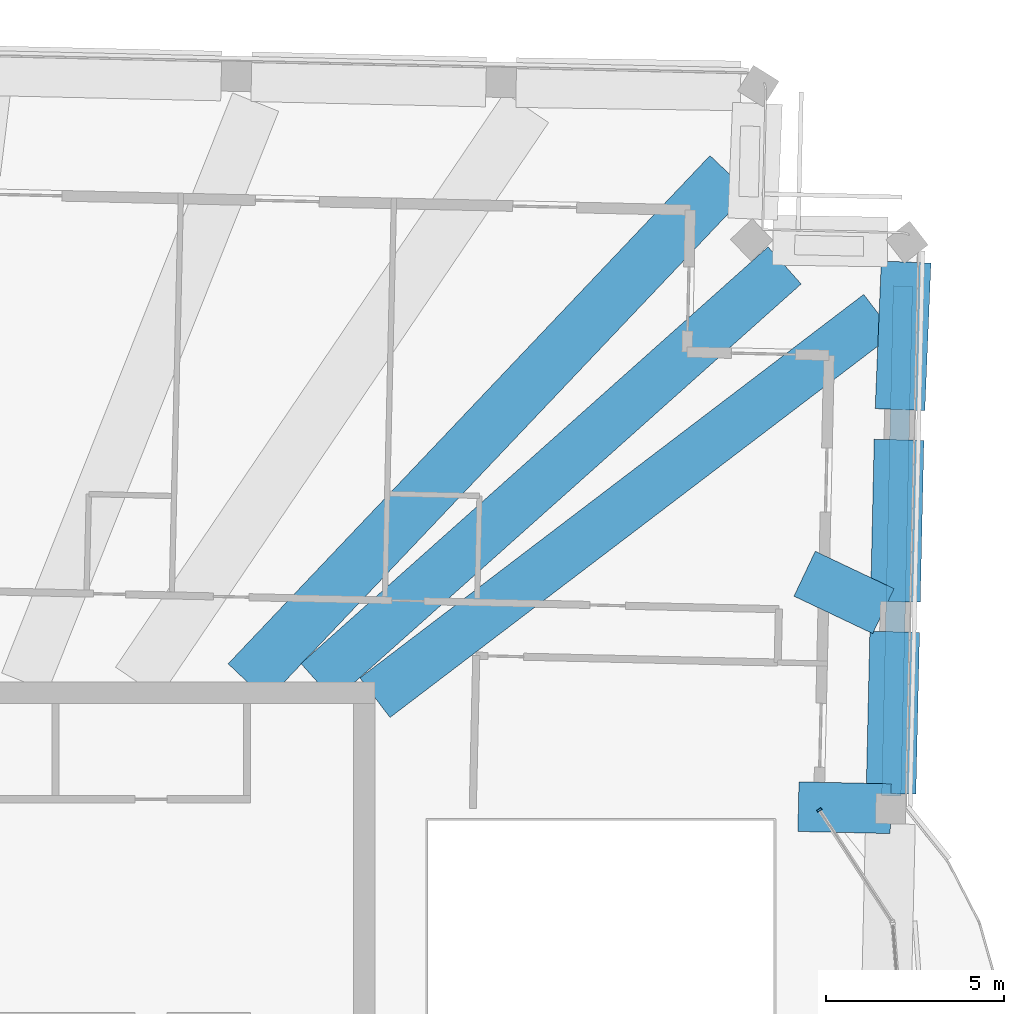
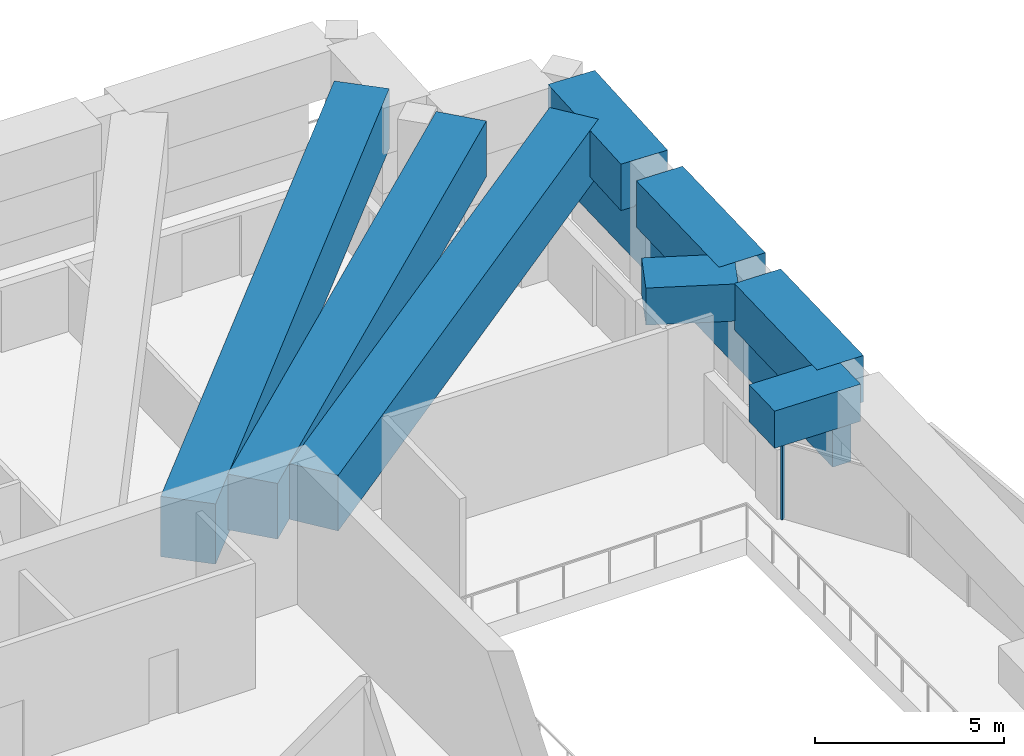
# One storey, part 7 of 21: 8 beams, 2 members, 1 element without a shape of its own.
"""IFC4 building model written with IfcOpenShell, lengths in metres."""

from ifc_helpers import new_model, si_unit, direction, frame, origin, origin_2d, place, context, subcontext, project, spatial, rectangle, extrude, material, material_profile, profile_set, type_object, element, aggregate, save


model = new_model("IFC4")

# Units and contexts
model_context = context("Model", 3, precision=1e-05, world=origin(), true_north=direction((0.0, 1.0)))
body_context = subcontext(model_context, "Body", "Model", "MODEL_VIEW")
ifc_project = project(units=[si_unit("LENGTHUNIT", "METRE"), si_unit("AREAUNIT", "SQUARE_METRE"), si_unit("VOLUMEUNIT", "CUBIC_METRE"), si_unit("PLANEANGLEUNIT", "RADIAN"), si_unit("MASSUNIT", "GRAM", prefix="KILO")], contexts=[model_context])

# Site, building, storey
site_placement = place(None, origin())
site = spatial("IfcSite", under=ifc_project, at=site_placement, CompositionType="ELEMENT")
building_placement = place(site_placement, origin())
building = spatial("IfcBuilding", under=site, at=building_placement, Name="Mangrove Gate Tower", CompositionType="ELEMENT")
storey_placement = place(building_placement, frame((0.0, 0.0, 329.699951171875)))
storey = spatial("IfcBuildingStorey", under=building, at=storey_placement, Name="L84", CompositionType="ELEMENT", Elevation=329.699951171875)

# Curtain wall, member
ifc_material_1 = material(Name="Aluminium and glass curtain wall", Category="aluminium")
curtain_wall_type = type_object("IfcCurtainWallType", Name="Crown garden glazing wall", PredefinedType="NOTDEFINED", material=ifc_material_1)
curtain_wall_placement = place(storey_placement, origin())
curtain_wall = element("IfcCurtainWall", 1, at=curtain_wall_placement, inside=storey, type_object=curtain_wall_type, Name="Crown garden glazing E1f3", PredefinedType="NOTDEFINED")
ifc_material_2 = material(Name="Aluminium alloy 6063-T6", Category="aluminium")
ifc_material_profile_1 = material_profile(ifc_material_2, rectangle(XDim=0.06005859375, YDim=0.139892578125, at=origin_2d()))
ifc_profile_set_1 = profile_set([ifc_material_profile_1], Name="Aluminium alloy 6063-T6")
member_type_1 = type_object("IfcMemberType", Name="Crown garden glazing mullion 60x140", PredefinedType="MULLION", material=ifc_profile_set_1)
member_1_placement = place(storey_placement, frame((26.913818359375, 7.800537109375, 0.0), z_axis=(0.0, 0.0, 1.0), x_axis=(-0.546235085045, 0.837631919083, 0.0)))
member_1 = element("IfcMember", 2, at=member_1_placement, type_object=member_type_1, Name="CWC mullion 2", PredefinedType="MULLION", context=body_context, shape_type="SweptSolid", body=[
    extrude(rectangle(XDim=0.06005859375, YDim=0.139892578125, at=origin_2d()), origin(), (0.0, 0.0, 1.0), 2.550048828125),
])
aggregate(curtain_wall, [member_1])

# Member
ifc_material_3 = material(Name="Planting on aluminium trellis", Category="aluminium")
ifc_material_profile_2 = material_profile(ifc_material_3, rectangle(XDim=0.550048828125, YDim=1.800048828125, at=origin_2d()))
ifc_profile_set_2 = profile_set([ifc_material_profile_2], Name="Planting on aluminium trellis")
member_type_2 = type_object("IfcMemberType", Name="Roof greenery screen 550x1800", PredefinedType="USERDEFINED", material=ifc_profile_set_2)
member_2_placement = place(storey_placement, frame((29.26708984375, 22.554931640625, 1.699951171875), z_axis=(-0.022711365364, -0.999742063676, 0.0), x_axis=(0.999742063676, -0.022711365364, 0.0)))
element("IfcMember", 3, at=member_2_placement, inside=storey, type_object=member_type_2, Name="GREEN SCREEN L84 T1.5.6", ObjectType="PLANTING", PredefinedType="USERDEFINED", context=body_context, shape_type="SweptSolid", body=[
    extrude(rectangle(XDim=0.550048828125, YDim=1.800048828125, at=origin_2d()), origin(), (0.0, 0.0, 1.0), 14.361572265625),
])

# Beams
ifc_material_4 = material(Name="Concrete C50/60", Category="concrete")
ifc_material_profile_3 = material_profile(ifc_material_4, rectangle(XDim=1.39990234375, YDim=1.199951171875, at=origin_2d()))
ifc_profile_set_3 = profile_set([ifc_material_profile_3], Name="Concrete C50/60")
beam_type_1 = type_object("IfcBeamType", Name="Transfer girder RC 1400x1200 C50/60", PredefinedType="BEAM", material=ifc_profile_set_3)
beam_1_placement = place(storey_placement, frame((28.923095703125, 7.834716796875, 3.449951171875), z_axis=(-0.99974594039, 0.022540068172, 0.0), x_axis=(-0.022540068172, -0.99974594039, 0.0)))
element("IfcBeam", 4, at=beam_1_placement, inside=storey, type_object=beam_type_1, Name="Transfer edge girder L84 16", PredefinedType="BEAM", context=body_context, shape_type="SweptSolid", body=[
    extrude(rectangle(XDim=1.39990234375, YDim=1.199951171875, at=origin_2d()), origin(), (0.0, 0.0, 1.0), 2.599609375),
])
beam_2_placement = place(storey_placement, frame((28.7158203125, 13.3984375, 3.449951171875), z_axis=(-0.903277504354, 0.429056814568, 0.0), x_axis=(-0.429056814568, -0.903277504354, 0.0)))
element("IfcBeam", 5, at=beam_2_placement, inside=storey, type_object=beam_type_1, Name="Transfer edge girder L84 17", PredefinedType="BEAM", context=body_context, shape_type="SweptSolid", body=[
    extrude(rectangle(XDim=1.39990234375, YDim=1.199951171875, at=origin_2d()), origin(), (0.0, 0.0, 1.0), 2.4541015625),
])
ifc_material_5 = material(Name="Concrete C50/60", Category="concrete")
ifc_material_profile_4 = material_profile(ifc_material_5, rectangle(XDim=1.39990234375, YDim=1.5, at=origin_2d()))
ifc_profile_set_4 = profile_set([ifc_material_profile_4], Name="Concrete C50/60")
beam_type_2 = type_object("IfcBeamType", Name="Transfer girder RC 1400x1500 C50/60", PredefinedType="BEAM", material=ifc_profile_set_4)
beam_3_placement = place(storey_placement, frame((28.932861328125, 8.259521484375, 3.300048828125), z_axis=(0.022709239016, 0.999742111979, 0.0), x_axis=(-0.999742111979, 0.022709239016, 0.0)))
element("IfcBeam", 6, at=beam_3_placement, inside=storey, type_object=beam_type_2, Name="Transfer ring girder L84 18", PredefinedType="BEAM", context=body_context, shape_type="SweptSolid", body=[
    extrude(rectangle(XDim=1.39990234375, YDim=1.5, at=origin_2d()), origin(), (0.0, 0.0, 1.0), 4.558349609375),
])
beam_4_placement = place(storey_placement, frame((29.0556640625, 13.66650390625, 3.300048828125), z_axis=(0.022553473027, 0.999745638077, 0.0), x_axis=(-0.999745638077, 0.022553473027, 0.0)))
element("IfcBeam", 7, at=beam_4_placement, inside=storey, type_object=beam_type_2, Name="Transfer ring girder L84 19", PredefinedType="BEAM", context=body_context, shape_type="SweptSolid", body=[
    extrude(rectangle(XDim=1.39990234375, YDim=1.5, at=origin_2d()), origin(), (0.0, 0.0, 1.0), 4.557373046875),
])
beam_5_placement = place(storey_placement, frame((29.185546875, 19.072265625, 3.300048828125), z_axis=(0.041318069487, 0.999146043946, 0.0), x_axis=(-0.999146043946, 0.041318069487, 0.0)))
element("IfcBeam", 8, at=beam_5_placement, inside=storey, type_object=beam_type_2, Name="Transfer ring girder L84 20", PredefinedType="BEAM", context=body_context, shape_type="SweptSolid", body=[
    extrude(rectangle(XDim=1.39990234375, YDim=1.5, at=origin_2d()), origin(), (0.0, 0.0, 1.0), 4.159912109375),
])
ifc_material_6 = material(Name="Concrete C50/60", Category="concrete")
ifc_material_profile_5 = material_profile(ifc_material_6, rectangle(XDim=1.39990234375, YDim=1.800048828125, at=origin_2d()))
ifc_profile_set_5 = profile_set([ifc_material_profile_5], Name="Concrete C50/60")
beam_type_3 = type_object("IfcBeamType", Name="Transfer girder RC 1400x1800 C50/60", PredefinedType="BEAM", material=ifc_profile_set_5)
beam_6_placement = place(storey_placement, frame((14.39990234375, 10.96044921875, 3.150146484375), z_axis=(0.795725833449, 0.605656996973, 0.0), x_axis=(-0.605656996973, 0.795725833449, 0.0)))
element("IfcBeam", 9, at=beam_6_placement, inside=storey, type_object=beam_type_3, Name="Transfer girder L84 18", PredefinedType="BEAM", context=body_context, shape_type="SweptSolid", body=[
    extrude(rectangle(XDim=1.39990234375, YDim=1.800048828125, at=origin_2d()), origin(), (0.0, 0.0, 1.0), 17.829833984375),
])
beam_7_placement = place(storey_placement, frame((12.78125, 11.39990234375, 3.150146484375), z_axis=(0.746274979658, 0.665637780431, 0.0), x_axis=(-0.665637780431, 0.746274979658, 0.0)))
element("IfcBeam", 10, at=beam_7_placement, inside=storey, type_object=beam_type_3, Name="Transfer girder L84 19", PredefinedType="BEAM", context=body_context, shape_type="SweptSolid", body=[
    extrude(rectangle(XDim=1.39990234375, YDim=1.800048828125, at=origin_2d()), origin(), (0.0, 0.0, 1.0), 17.626953125),
])
ifc_material_7 = material(Name="Concrete C50/60", Category="concrete")
ifc_material_profile_6 = material_profile(ifc_material_7, rectangle(XDim=1.5, YDim=1.949951171875, at=origin_2d()))
ifc_profile_set_6 = profile_set([ifc_material_profile_6], Name="Concrete C50/60")
beam_type_4 = type_object("IfcBeamType", Name="Transfer girder RC 1500x1950 C50/60", PredefinedType="BEAM", material=ifc_profile_set_6)
beam_8_placement = place(storey_placement, frame((10.8095703125, 11.39990234375, 3.074951171875), z_axis=(0.688063597329, 0.725650388294, 0.0), x_axis=(-0.725650388294, 0.688063597329, 0.0)))
element("IfcBeam", 11, at=beam_8_placement, inside=storey, type_object=beam_type_4, Name="Transfer girder L84 20", PredefinedType="BEAM", context=body_context, shape_type="SweptSolid", body=[
    extrude(rectangle(XDim=1.5, YDim=1.949951171875, at=origin_2d()), origin(), (0.0, 0.0, 1.0), 19.719970703125),
])

save(model, "model.ifc")
